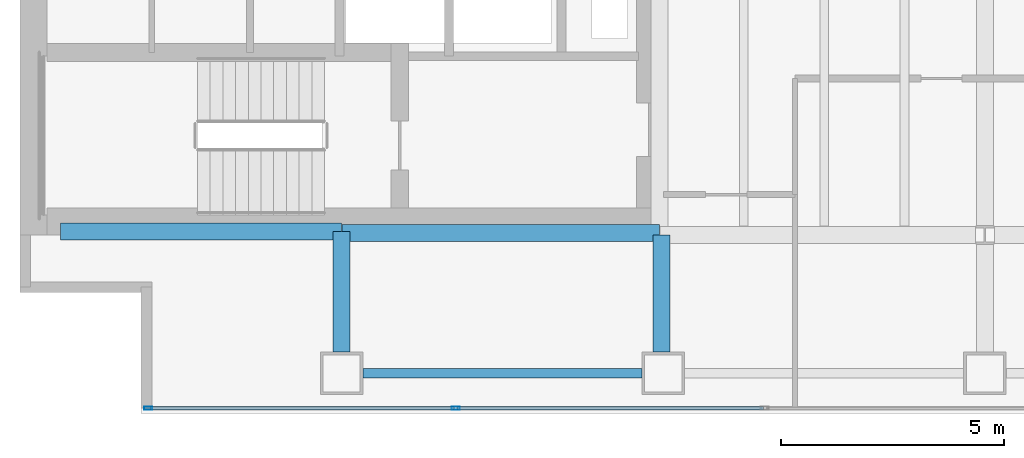
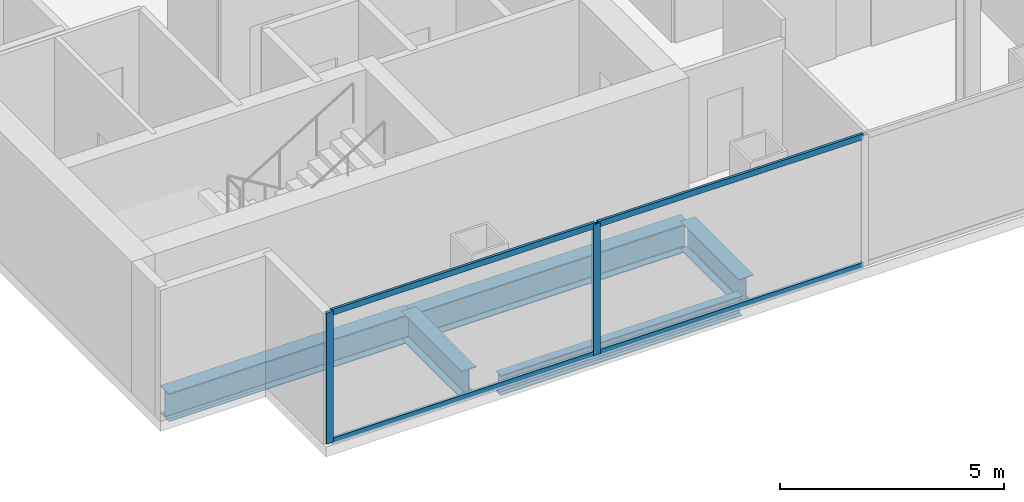
# One storey, part 2 of 23: 6 members, 5 beams, 1 element without a shape of its own.
"""IFC4 building model written with IfcOpenShell, lengths in metres."""

from ifc_helpers import new_model, si_unit, direction, frame, origin, origin_2d, place, context, subcontext, project, spatial, hollow_rectangle, i_section, extrude, material, material_profile, profile_set, type_object, element, aggregate, save


model = new_model("IFC4")

# Units and contexts
model_context = context("Model", 3, precision=1e-05, world=origin(), true_north=direction((0.0, 1.0)))
body_context = subcontext(model_context, "Body", "Model", "MODEL_VIEW")
ifc_project = project(units=[si_unit("LENGTHUNIT", "METRE"), si_unit("AREAUNIT", "SQUARE_METRE"), si_unit("VOLUMEUNIT", "CUBIC_METRE"), si_unit("PLANEANGLEUNIT", "RADIAN"), si_unit("MASSUNIT", "GRAM", prefix="KILO")], contexts=[model_context])

# Site, building, storey
site_placement = place(None, origin())
site = spatial("IfcSite", under=ifc_project, at=site_placement, CompositionType="ELEMENT")
building_placement = place(site_placement, origin())
building = spatial("IfcBuilding", under=site, at=building_placement, Name="Cobrela Telecom Tower", CompositionType="ELEMENT")
storey_placement = place(building_placement, frame((0.0, 0.0, 109.89990234375)))
storey = spatial("IfcBuildingStorey", under=building, at=storey_placement, Name="L27", CompositionType="ELEMENT", Elevation=109.89990234375)

# Beams
ifc_material_1 = material(Name="Steel ASTM A992 Grade 50", Category="steel")
ifc_material_profile_1 = material_profile(ifc_material_1, i_section(OverallWidth=0.381103515625, OverallDepth=0.77197265625, WebThickness=0.0166015625, FlangeThickness=0.027099609375, FilletRadius=0.01904296875, at=origin_2d()), Name="W30X173")
ifc_profile_set_1 = profile_set([ifc_material_profile_1], Name="Steel ASTM A992 Grade 50")
beam_type_1 = type_object("IfcBeamType", Name="BM-GIRD-04", PredefinedType="USERDEFINED", material=ifc_profile_set_1)
beam_1_placement = place(storey_placement, frame((0.905029296875, 7.280029296875, -0.656005859375), z_axis=(1.0, 0.0, 0.0), x_axis=(0.0, 1.0, 0.0)))
element("IfcBeam", 1, at=beam_1_placement, inside=storey, type_object=beam_type_1, Name="L27 Primary Girder X06", ObjectType="GIRDER", PredefinedType="USERDEFINED", context=body_context, shape_type="SweptSolid", body=[
    extrude(i_section(OverallWidth=0.381103515625, OverallDepth=0.77197265625, WebThickness=0.0166015625, FlangeThickness=0.027099609375, FilletRadius=0.01904296875, at=origin_2d()), origin(), (0.0, 0.0, 1.0), 6.2900390625),
])
beam_2_placement = place(storey_placement, frame((7.205078125, 7.239990234375, -0.656005859375), z_axis=(1.0, 0.0, 0.0), x_axis=(0.0, 1.0, 0.0)))
element("IfcBeam", 2, at=beam_2_placement, inside=storey, type_object=beam_type_1, Name="L27 Primary Girder X07", ObjectType="GIRDER", PredefinedType="USERDEFINED", context=body_context, shape_type="SweptSolid", body=[
    extrude(i_section(OverallWidth=0.381103515625, OverallDepth=0.77197265625, WebThickness=0.0166015625, FlangeThickness=0.027099609375, FilletRadius=0.01904296875, at=origin_2d()), origin(), (0.0, 0.0, 1.0), 7.10986328125),
])
beam_3_placement = place(storey_placement, frame((7.199951171875, 4.580078125, -0.656005859375), z_axis=(0.0, 1.0, 0.0), x_axis=(-1.0, 0.0, 0.0)))
element("IfcBeam", 3, at=beam_3_placement, inside=storey, type_object=beam_type_1, Name="L27 Primary Girder Y31", ObjectType="GIRDER", PredefinedType="USERDEFINED", context=body_context, shape_type="SweptSolid", body=[
    extrude(i_section(OverallWidth=0.381103515625, OverallDepth=0.77197265625, WebThickness=0.0166015625, FlangeThickness=0.027099609375, FilletRadius=0.01904296875, at=origin_2d()), origin(), (0.0, 0.0, 1.0), 2.69482421875),
])
beam_4_placement = place(storey_placement, frame((14.360107421875, 4.580078125, -0.656005859375), z_axis=(0.0, 1.0, 0.0), x_axis=(-1.0, 0.0, 0.0)))
element("IfcBeam", 4, at=beam_4_placement, inside=storey, type_object=beam_type_1, Name="L27 Primary Girder Y33", ObjectType="GIRDER", PredefinedType="USERDEFINED", context=body_context, shape_type="SweptSolid", body=[
    extrude(i_section(OverallWidth=0.381103515625, OverallDepth=0.77197265625, WebThickness=0.0166015625, FlangeThickness=0.027099609375, FilletRadius=0.01904296875, at=origin_2d()), origin(), (0.0, 0.0, 1.0), 2.614990234375),
])
ifc_material_profile_2 = material_profile(ifc_material_1, i_section(OverallWidth=0.212890625, OverallDepth=0.549072265625, WebThickness=0.0146484375, FlangeThickness=0.023681640625, FilletRadius=0.013916015625, at=origin_2d()), Name="W21X93")
ifc_profile_set_2 = profile_set([ifc_material_profile_2], Name="Steel ASTM A992 Grade 50")
beam_type_2 = type_object("IfcBeamType", Name="BM-SPAND-03", PredefinedType="SPANDREL", material=ifc_profile_set_2)
beam_5_placement = place(storey_placement, frame((7.679931640625, 4.10009765625, -0.54443359375), z_axis=(1.0, 0.0, 0.0), x_axis=(0.0, 1.0, 0.0)))
element("IfcBeam", 5, at=beam_5_placement, inside=storey, type_object=beam_type_2, Name="L27 Perimeter Spandrel X01", PredefinedType="SPANDREL", context=body_context, shape_type="SweptSolid", body=[
    extrude(i_section(OverallWidth=0.212890625, OverallDepth=0.549072265625, WebThickness=0.0146484375, FlangeThickness=0.023681640625, FilletRadius=0.013916015625, at=origin_2d()), origin(), (0.0, 0.0, 1.0), 6.239990234375),
])

# Curtain wall, members
ifc_material_2 = material(Name="Anodized Bronze Aluminium 6063-T6", Category="aluminium")
curtain_wall_type = type_object("IfcCurtainWallType", Name="CW-SYS-TEL", PredefinedType="USERDEFINED", material=ifc_material_2)
curtain_wall_placement = place(storey_placement, origin())
curtain_wall = element("IfcCurtainWall", 6, at=curtain_wall_placement, inside=storey, type_object=curtain_wall_type, Name="L27 Unitised Bronze Curtain Wall 17", ObjectType="UNITISED CURTAIN WALL", PredefinedType="USERDEFINED")
ifc_material_profile_3 = material_profile(ifc_material_2, hollow_rectangle(XDim=0.074951171875, YDim=0.179931640625, WallThickness=0.00390625, at=origin_2d()), Name="ALU 75x180x4")
ifc_profile_set_3 = profile_set([ifc_material_profile_3], Name="Anodized Bronze Aluminium 6063-T6")
member_type_1 = type_object("IfcMemberType", Name="CW-SYS-TEL-MUL", PredefinedType="MULLION", material=ifc_profile_set_3)
member_1_placement = place(storey_placement, frame((9.75341796875, 3.320068359375, 0.0), z_axis=(0.0, 0.0, 1.0), x_axis=(0.0, -1.0, 0.0)))
member_1 = element("IfcMember", 7, at=member_1_placement, type_object=member_type_1, Name="CW-TEL mullion 6", PredefinedType="MULLION", context=body_context, shape_type="SweptSolid", body=[
    extrude(hollow_rectangle(XDim=0.074951171875, YDim=0.179931640625, WallThickness=0.00390625, at=origin_2d()), origin(), (0.0, 0.0, 1.0), 3.580078125),
])
member_2_placement = place(storey_placement, frame((2.867431640625, 3.320068359375, 0.0), z_axis=(0.0, 0.0, 1.0), x_axis=(0.0, -1.0, 0.0)))
member_2 = element("IfcMember", 8, at=member_2_placement, type_object=member_type_1, Name="CW-TEL mullion 7", PredefinedType="MULLION", context=body_context, shape_type="SweptSolid", body=[
    extrude(hollow_rectangle(XDim=0.074951171875, YDim=0.179931640625, WallThickness=0.00390625, at=origin_2d()), origin(), (0.0, 0.0, 1.0), 3.580078125),
])
ifc_material_profile_4 = material_profile(ifc_material_2, hollow_rectangle(XDim=0.070068359375, YDim=0.159912109375, WallThickness=0.00390625, at=origin_2d()), Name="ALU 70x160x4")
ifc_profile_set_4 = profile_set([ifc_material_profile_4], Name="Anodized Bronze Aluminium 6063-T6")
member_type_2 = type_object("IfcMemberType", Name="CW-SYS-TEL-TRN", PredefinedType="USERDEFINED", material=ifc_profile_set_4)
member_3_placement = place(storey_placement, frame((16.63916015625, 3.320068359375, 0.03515625), z_axis=(-1.0, 0.0, 0.0), x_axis=(0.0, -1.0, 0.0)))
member_3 = element("IfcMember", 9, at=member_3_placement, type_object=member_type_2, Name="CW-TEL transom 5.1", ObjectType="TRANSOM", PredefinedType="USERDEFINED", context=body_context, shape_type="SweptSolid", body=[
    extrude(hollow_rectangle(XDim=0.070068359375, YDim=0.159912109375, WallThickness=0.00390625, at=origin_2d()), origin(), (0.0, 0.0, 1.0), 6.848388671875),
])
member_4_placement = place(storey_placement, frame((16.63916015625, 3.320068359375, 3.545166015625), z_axis=(-1.0, 0.0, 0.0), x_axis=(0.0, -1.0, 0.0)))
member_4 = element("IfcMember", 10, at=member_4_placement, type_object=member_type_2, Name="CW-TEL transom 5.2", ObjectType="TRANSOM", PredefinedType="USERDEFINED", context=body_context, shape_type="SweptSolid", body=[
    extrude(hollow_rectangle(XDim=0.070068359375, YDim=0.159912109375, WallThickness=0.00390625, at=origin_2d()), origin(), (0.0, 0.0, 1.0), 6.848388671875),
])
member_5_placement = place(storey_placement, frame((9.7158203125, 3.320068359375, 0.03515625), z_axis=(-1.0, 0.0, 0.0), x_axis=(0.0, -1.0, 0.0)))
member_5 = element("IfcMember", 11, at=member_5_placement, type_object=member_type_2, Name="CW-TEL transom 6.1", ObjectType="TRANSOM", PredefinedType="USERDEFINED", context=body_context, shape_type="SweptSolid", body=[
    extrude(hollow_rectangle(XDim=0.070068359375, YDim=0.159912109375, WallThickness=0.00390625, at=origin_2d()), origin(), (0.0, 0.0, 1.0), 6.810791015625),
])
member_6_placement = place(storey_placement, frame((9.7158203125, 3.320068359375, 3.545166015625), z_axis=(-1.0, 0.0, 0.0), x_axis=(0.0, -1.0, 0.0)))
member_6 = element("IfcMember", 12, at=member_6_placement, type_object=member_type_2, Name="CW-TEL transom 6.2", ObjectType="TRANSOM", PredefinedType="USERDEFINED", context=body_context, shape_type="SweptSolid", body=[
    extrude(hollow_rectangle(XDim=0.070068359375, YDim=0.159912109375, WallThickness=0.00390625, at=origin_2d()), origin(), (0.0, 0.0, 1.0), 6.810791015625),
])
aggregate(curtain_wall, [member_1, member_2, member_3, member_4, member_5, member_6])

save(model, "model.ifc")
